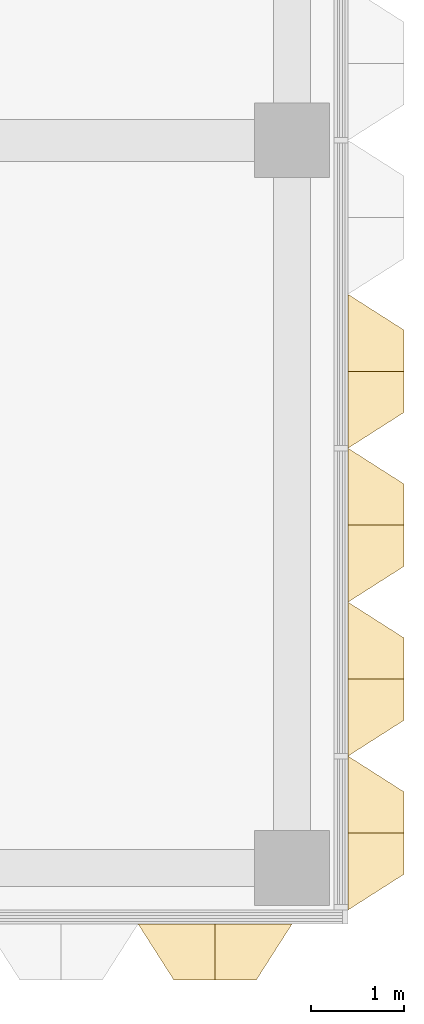
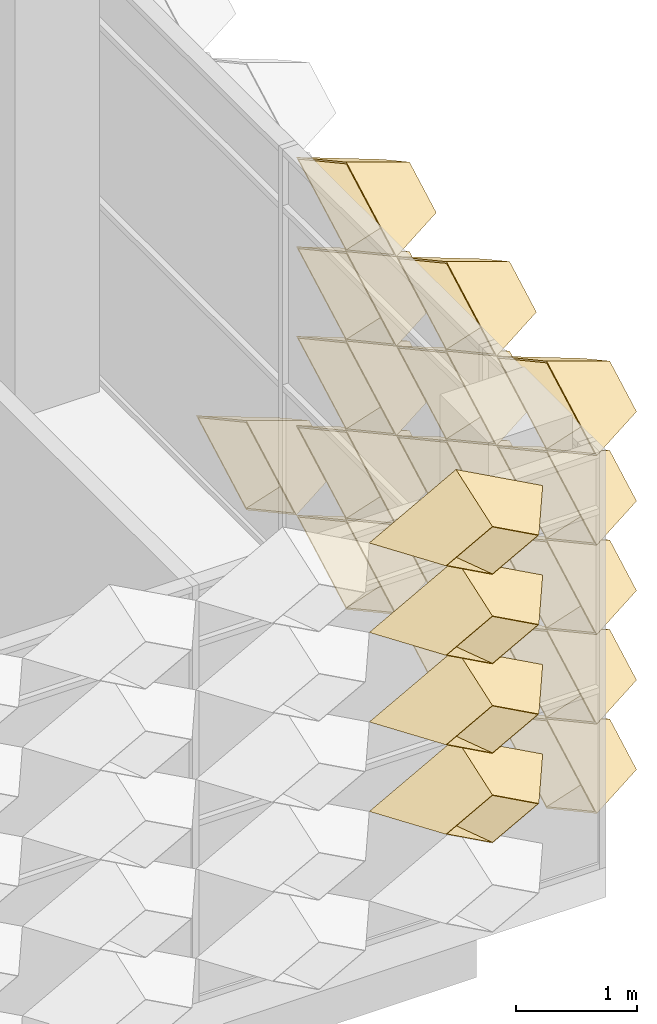
# One storey, part 51 of 61: 20 coverings.
"""IFC4 building model written with IfcOpenShell, lengths in metres."""

from ifc_helpers import new_model, entity, si_unit, direction, frame, origin, place, context, subcontext, project, spatial, material, layer, layer_set, type_object, element, save


model = new_model("IFC4")

# Units and contexts
model_context = context("Model", 3, precision=1e-05, world=origin(), true_north=direction((0.0, 1.0)))
body_context = subcontext(model_context, "Body", "Model", "MODEL_VIEW")
ifc_project = project(units=[si_unit("LENGTHUNIT", "METRE"), si_unit("AREAUNIT", "SQUARE_METRE"), si_unit("VOLUMEUNIT", "CUBIC_METRE"), si_unit("PLANEANGLEUNIT", "RADIAN"), si_unit("MASSUNIT", "GRAM", prefix="KILO")], contexts=[model_context])

# Site, building, storey
site_placement = place(None, origin())
site = spatial("IfcSite", under=ifc_project, at=site_placement, CompositionType="ELEMENT")
building_placement = place(site_placement, origin())
building = spatial("IfcBuilding", under=site, at=building_placement, Name="Lantern Court Research Institute", CompositionType="ELEMENT")
storey_placement = place(building_placement, frame((0.0, 0.0, 23.39990234375)))
storey = spatial("IfcBuildingStorey", under=building, at=storey_placement, Name="L05", CompositionType="ELEMENT", Elevation=23.39990234375)

# Coverings
ifc_material = material(Name="Anodised aluminium", Category="aluminium")
ifc_layer = layer(ifc_material, 0.01611328125)
ifc_layer_set = layer_set([ifc_layer], Name="Anodised aluminium")
covering_type = type_object("IfcCoveringType", Name="Fin cassette 1650 x 900 x 600 aluminium", PredefinedType="CLADDING", material=ifc_layer_set)
covering_1_placement = place(storey_placement, frame((79.800048828125, -7.425048828125, 0.4501953125), z_axis=(1.0, 0.0, 0.0), x_axis=(0.0, 1.0, 0.0)))
cartesian_point_1 = entity("IfcCartesianPoint", [0.824951171875, 0.0])
cartesian_point_2 = entity("IfcCartesianPoint", [0.79150390625, 0.0])
cartesian_point_3 = entity("IfcCartesianPoint", [0.44189453125, 0.0])
cartesian_point_4 = entity("IfcCartesianPoint", [0.43359375, 0.0])
element("IfcCovering", 1, at=covering_1_placement, inside=storey, type_object=covering_type, Name="Fin cassette V5E-L05 1.-4", PredefinedType="CLADDING", context=body_context, shape_type="SweptSolid", body=[
    entity("IfcExtrudedAreaSolidTapered", entity("IfcArbitraryProfileDefWithVoids", "AREA", None, entity("IfcPolyline", [cartesian_point_1, entity("IfcCartesianPoint", [0.0, 0.449951171875]), entity("IfcCartesianPoint", [-0.824951171875, 0.0]), entity("IfcCartesianPoint", [0.0, -0.449951171875]), cartesian_point_1]), [entity("IfcPolyline", [cartesian_point_2, entity("IfcCartesianPoint", [0.0, 0.431884765625]), entity("IfcCartesianPoint", [-0.79150390625, 0.0]), entity("IfcCartesianPoint", [0.0, -0.431884765625]), cartesian_point_2])]), entity("IfcAxis2Placement3D", entity("IfcCartesianPoint", [0.0, 0.0, 0.0])), entity("IfcDirection", [0.0, 0.0, 1.0]), 0.60009765625, entity("IfcArbitraryProfileDefWithVoids", "AREA", None, entity("IfcPolyline", [cartesian_point_3, entity("IfcCartesianPoint", [0.0, 0.240966796875]), entity("IfcCartesianPoint", [-0.44189453125, 0.0]), entity("IfcCartesianPoint", [0.0, -0.240966796875]), cartesian_point_3]), [entity("IfcPolyline", [cartesian_point_4, entity("IfcCartesianPoint", [0.0, 0.236572265625]), entity("IfcCartesianPoint", [-0.43359375, 0.0]), entity("IfcCartesianPoint", [0.0, -0.236572265625]), cartesian_point_4])])),
])
covering_2_placement = place(storey_placement, frame((79.800048828125, -5.77490234375, 0.4501953125), z_axis=(1.0, 0.0, 0.0), x_axis=(0.0, 1.0, 0.0)))
cartesian_point_5 = entity("IfcCartesianPoint", [0.824951171875, 0.0])
cartesian_point_6 = entity("IfcCartesianPoint", [0.79150390625, 0.0])
cartesian_point_7 = entity("IfcCartesianPoint", [0.44189453125, 0.0])
cartesian_point_8 = entity("IfcCartesianPoint", [0.43359375, 0.0])
element("IfcCovering", 2, at=covering_2_placement, inside=storey, type_object=covering_type, Name="Fin cassette V5E-L05 1.-3", PredefinedType="CLADDING", context=body_context, shape_type="SweptSolid", body=[
    entity("IfcExtrudedAreaSolidTapered", entity("IfcArbitraryProfileDefWithVoids", "AREA", None, entity("IfcPolyline", [cartesian_point_5, entity("IfcCartesianPoint", [0.0, 0.449951171875]), entity("IfcCartesianPoint", [-0.824951171875, 0.0]), entity("IfcCartesianPoint", [0.0, -0.449951171875]), cartesian_point_5]), [entity("IfcPolyline", [cartesian_point_6, entity("IfcCartesianPoint", [0.0, 0.431884765625]), entity("IfcCartesianPoint", [-0.79150390625, 0.0]), entity("IfcCartesianPoint", [0.0, -0.431884765625]), cartesian_point_6])]), entity("IfcAxis2Placement3D", entity("IfcCartesianPoint", [0.0, 0.0, 0.0])), entity("IfcDirection", [0.0, 0.0, 1.0]), 0.60009765625, entity("IfcArbitraryProfileDefWithVoids", "AREA", None, entity("IfcPolyline", [cartesian_point_7, entity("IfcCartesianPoint", [0.0, 0.240966796875]), entity("IfcCartesianPoint", [-0.44189453125, 0.0]), entity("IfcCartesianPoint", [0.0, -0.240966796875]), cartesian_point_7]), [entity("IfcPolyline", [cartesian_point_8, entity("IfcCartesianPoint", [0.0, 0.236572265625]), entity("IfcCartesianPoint", [-0.43359375, 0.0]), entity("IfcCartesianPoint", [0.0, -0.236572265625]), cartesian_point_8])])),
])
covering_3_placement = place(storey_placement, frame((79.800048828125, -4.125, 0.4501953125), z_axis=(1.0, 0.0, 0.0), x_axis=(0.0, 1.0, 0.0)))
cartesian_point_9 = entity("IfcCartesianPoint", [0.824951171875, 0.0])
cartesian_point_10 = entity("IfcCartesianPoint", [0.79150390625, 0.0])
cartesian_point_11 = entity("IfcCartesianPoint", [0.44189453125, 0.0])
cartesian_point_12 = entity("IfcCartesianPoint", [0.43359375, 0.0])
element("IfcCovering", 3, at=covering_3_placement, inside=storey, type_object=covering_type, Name="Fin cassette V5E-L05 1.-2", PredefinedType="CLADDING", context=body_context, shape_type="SweptSolid", body=[
    entity("IfcExtrudedAreaSolidTapered", entity("IfcArbitraryProfileDefWithVoids", "AREA", None, entity("IfcPolyline", [cartesian_point_9, entity("IfcCartesianPoint", [0.0, 0.449951171875]), entity("IfcCartesianPoint", [-0.824951171875, 0.0]), entity("IfcCartesianPoint", [0.0, -0.449951171875]), cartesian_point_9]), [entity("IfcPolyline", [cartesian_point_10, entity("IfcCartesianPoint", [0.0, 0.431884765625]), entity("IfcCartesianPoint", [-0.79150390625, 0.0]), entity("IfcCartesianPoint", [0.0, -0.431884765625]), cartesian_point_10])]), entity("IfcAxis2Placement3D", entity("IfcCartesianPoint", [0.0, 0.0, 0.0])), entity("IfcDirection", [0.0, 0.0, 1.0]), 0.60009765625, entity("IfcArbitraryProfileDefWithVoids", "AREA", None, entity("IfcPolyline", [cartesian_point_11, entity("IfcCartesianPoint", [0.0, 0.240966796875]), entity("IfcCartesianPoint", [-0.44189453125, 0.0]), entity("IfcCartesianPoint", [0.0, -0.240966796875]), cartesian_point_11]), [entity("IfcPolyline", [cartesian_point_12, entity("IfcCartesianPoint", [0.0, 0.236572265625]), entity("IfcCartesianPoint", [-0.43359375, 0.0]), entity("IfcCartesianPoint", [0.0, -0.236572265625]), cartesian_point_12])])),
])
covering_4_placement = place(storey_placement, frame((79.800048828125, -2.47509765625, 0.4501953125), z_axis=(1.0, 0.0, 0.0), x_axis=(0.0, 1.0, 0.0)))
cartesian_point_13 = entity("IfcCartesianPoint", [0.824951171875, 0.0])
cartesian_point_14 = entity("IfcCartesianPoint", [0.79150390625, 0.0])
cartesian_point_15 = entity("IfcCartesianPoint", [0.44189453125, 0.0])
cartesian_point_16 = entity("IfcCartesianPoint", [0.43359375, 0.0])
element("IfcCovering", 4, at=covering_4_placement, inside=storey, type_object=covering_type, Name="Fin cassette V5E-L05 1.-1", PredefinedType="CLADDING", context=body_context, shape_type="SweptSolid", body=[
    entity("IfcExtrudedAreaSolidTapered", entity("IfcArbitraryProfileDefWithVoids", "AREA", None, entity("IfcPolyline", [cartesian_point_13, entity("IfcCartesianPoint", [0.0, 0.449951171875]), entity("IfcCartesianPoint", [-0.824951171875, 0.0]), entity("IfcCartesianPoint", [0.0, -0.449951171875]), cartesian_point_13]), [entity("IfcPolyline", [cartesian_point_14, entity("IfcCartesianPoint", [0.0, 0.431884765625]), entity("IfcCartesianPoint", [-0.79150390625, 0.0]), entity("IfcCartesianPoint", [0.0, -0.431884765625]), cartesian_point_14])]), entity("IfcAxis2Placement3D", entity("IfcCartesianPoint", [0.0, 0.0, 0.0])), entity("IfcDirection", [0.0, 0.0, 1.0]), 0.60009765625, entity("IfcArbitraryProfileDefWithVoids", "AREA", None, entity("IfcPolyline", [cartesian_point_15, entity("IfcCartesianPoint", [0.0, 0.240966796875]), entity("IfcCartesianPoint", [-0.44189453125, 0.0]), entity("IfcCartesianPoint", [0.0, -0.240966796875]), cartesian_point_15]), [entity("IfcPolyline", [cartesian_point_16, entity("IfcCartesianPoint", [0.0, 0.236572265625]), entity("IfcCartesianPoint", [-0.43359375, 0.0]), entity("IfcCartesianPoint", [0.0, -0.236572265625]), cartesian_point_16])])),
])
covering_5_placement = place(storey_placement, frame((79.800048828125, -7.425048828125, 1.35009765625), z_axis=(1.0, 0.0, 0.0), x_axis=(0.0, 1.0, 0.0)))
cartesian_point_17 = entity("IfcCartesianPoint", [0.824951171875, 0.0])
cartesian_point_18 = entity("IfcCartesianPoint", [0.79150390625, 0.0])
cartesian_point_19 = entity("IfcCartesianPoint", [0.44189453125, 0.0])
cartesian_point_20 = entity("IfcCartesianPoint", [0.43359375, 0.0])
element("IfcCovering", 5, at=covering_5_placement, inside=storey, type_object=covering_type, Name="Fin cassette V5E-L05 2.-4", PredefinedType="CLADDING", context=body_context, shape_type="SweptSolid", body=[
    entity("IfcExtrudedAreaSolidTapered", entity("IfcArbitraryProfileDefWithVoids", "AREA", None, entity("IfcPolyline", [cartesian_point_17, entity("IfcCartesianPoint", [0.0, 0.449951171875]), entity("IfcCartesianPoint", [-0.824951171875, 0.0]), entity("IfcCartesianPoint", [0.0, -0.449951171875]), cartesian_point_17]), [entity("IfcPolyline", [cartesian_point_18, entity("IfcCartesianPoint", [0.0, 0.431884765625]), entity("IfcCartesianPoint", [-0.79150390625, 0.0]), entity("IfcCartesianPoint", [0.0, -0.431884765625]), cartesian_point_18])]), entity("IfcAxis2Placement3D", entity("IfcCartesianPoint", [0.0, 0.0, 0.0])), entity("IfcDirection", [0.0, 0.0, 1.0]), 0.60009765625, entity("IfcArbitraryProfileDefWithVoids", "AREA", None, entity("IfcPolyline", [cartesian_point_19, entity("IfcCartesianPoint", [0.0, 0.240966796875]), entity("IfcCartesianPoint", [-0.44189453125, 0.0]), entity("IfcCartesianPoint", [0.0, -0.240966796875]), cartesian_point_19]), [entity("IfcPolyline", [cartesian_point_20, entity("IfcCartesianPoint", [0.0, 0.236572265625]), entity("IfcCartesianPoint", [-0.43359375, 0.0]), entity("IfcCartesianPoint", [0.0, -0.236572265625]), cartesian_point_20])])),
])
covering_6_placement = place(storey_placement, frame((79.800048828125, -5.77490234375, 1.35009765625), z_axis=(1.0, 0.0, 0.0), x_axis=(0.0, 1.0, 0.0)))
cartesian_point_21 = entity("IfcCartesianPoint", [0.824951171875, 0.0])
cartesian_point_22 = entity("IfcCartesianPoint", [0.79150390625, 0.0])
cartesian_point_23 = entity("IfcCartesianPoint", [0.44189453125, 0.0])
cartesian_point_24 = entity("IfcCartesianPoint", [0.43359375, 0.0])
element("IfcCovering", 6, at=covering_6_placement, inside=storey, type_object=covering_type, Name="Fin cassette V5E-L05 2.-3", PredefinedType="CLADDING", context=body_context, shape_type="SweptSolid", body=[
    entity("IfcExtrudedAreaSolidTapered", entity("IfcArbitraryProfileDefWithVoids", "AREA", None, entity("IfcPolyline", [cartesian_point_21, entity("IfcCartesianPoint", [0.0, 0.449951171875]), entity("IfcCartesianPoint", [-0.824951171875, 0.0]), entity("IfcCartesianPoint", [0.0, -0.449951171875]), cartesian_point_21]), [entity("IfcPolyline", [cartesian_point_22, entity("IfcCartesianPoint", [0.0, 0.431884765625]), entity("IfcCartesianPoint", [-0.79150390625, 0.0]), entity("IfcCartesianPoint", [0.0, -0.431884765625]), cartesian_point_22])]), entity("IfcAxis2Placement3D", entity("IfcCartesianPoint", [0.0, 0.0, 0.0])), entity("IfcDirection", [0.0, 0.0, 1.0]), 0.60009765625, entity("IfcArbitraryProfileDefWithVoids", "AREA", None, entity("IfcPolyline", [cartesian_point_23, entity("IfcCartesianPoint", [0.0, 0.240966796875]), entity("IfcCartesianPoint", [-0.44189453125, 0.0]), entity("IfcCartesianPoint", [0.0, -0.240966796875]), cartesian_point_23]), [entity("IfcPolyline", [cartesian_point_24, entity("IfcCartesianPoint", [0.0, 0.236572265625]), entity("IfcCartesianPoint", [-0.43359375, 0.0]), entity("IfcCartesianPoint", [0.0, -0.236572265625]), cartesian_point_24])])),
])
covering_7_placement = place(storey_placement, frame((79.800048828125, -4.125, 1.35009765625), z_axis=(1.0, 0.0, 0.0), x_axis=(0.0, 1.0, 0.0)))
cartesian_point_25 = entity("IfcCartesianPoint", [0.824951171875, 0.0])
cartesian_point_26 = entity("IfcCartesianPoint", [0.79150390625, 0.0])
cartesian_point_27 = entity("IfcCartesianPoint", [0.44189453125, 0.0])
cartesian_point_28 = entity("IfcCartesianPoint", [0.43359375, 0.0])
element("IfcCovering", 7, at=covering_7_placement, inside=storey, type_object=covering_type, Name="Fin cassette V5E-L05 2.-2", PredefinedType="CLADDING", context=body_context, shape_type="SweptSolid", body=[
    entity("IfcExtrudedAreaSolidTapered", entity("IfcArbitraryProfileDefWithVoids", "AREA", None, entity("IfcPolyline", [cartesian_point_25, entity("IfcCartesianPoint", [0.0, 0.449951171875]), entity("IfcCartesianPoint", [-0.824951171875, 0.0]), entity("IfcCartesianPoint", [0.0, -0.449951171875]), cartesian_point_25]), [entity("IfcPolyline", [cartesian_point_26, entity("IfcCartesianPoint", [0.0, 0.431884765625]), entity("IfcCartesianPoint", [-0.79150390625, 0.0]), entity("IfcCartesianPoint", [0.0, -0.431884765625]), cartesian_point_26])]), entity("IfcAxis2Placement3D", entity("IfcCartesianPoint", [0.0, 0.0, 0.0])), entity("IfcDirection", [0.0, 0.0, 1.0]), 0.60009765625, entity("IfcArbitraryProfileDefWithVoids", "AREA", None, entity("IfcPolyline", [cartesian_point_27, entity("IfcCartesianPoint", [0.0, 0.240966796875]), entity("IfcCartesianPoint", [-0.44189453125, 0.0]), entity("IfcCartesianPoint", [0.0, -0.240966796875]), cartesian_point_27]), [entity("IfcPolyline", [cartesian_point_28, entity("IfcCartesianPoint", [0.0, 0.236572265625]), entity("IfcCartesianPoint", [-0.43359375, 0.0]), entity("IfcCartesianPoint", [0.0, -0.236572265625]), cartesian_point_28])])),
])
covering_8_placement = place(storey_placement, frame((79.800048828125, -7.425048828125, 2.25), z_axis=(1.0, 0.0, 0.0), x_axis=(0.0, 1.0, 0.0)))
cartesian_point_29 = entity("IfcCartesianPoint", [0.824951171875, 0.0])
cartesian_point_30 = entity("IfcCartesianPoint", [0.79150390625, 0.0])
cartesian_point_31 = entity("IfcCartesianPoint", [0.44189453125, 0.0])
cartesian_point_32 = entity("IfcCartesianPoint", [0.43359375, 0.0])
element("IfcCovering", 8, at=covering_8_placement, inside=storey, type_object=covering_type, Name="Fin cassette V5E-L05 3.-4", PredefinedType="CLADDING", context=body_context, shape_type="SweptSolid", body=[
    entity("IfcExtrudedAreaSolidTapered", entity("IfcArbitraryProfileDefWithVoids", "AREA", None, entity("IfcPolyline", [cartesian_point_29, entity("IfcCartesianPoint", [0.0, 0.449951171875]), entity("IfcCartesianPoint", [-0.824951171875, 0.0]), entity("IfcCartesianPoint", [0.0, -0.449951171875]), cartesian_point_29]), [entity("IfcPolyline", [cartesian_point_30, entity("IfcCartesianPoint", [0.0, 0.431884765625]), entity("IfcCartesianPoint", [-0.79150390625, 0.0]), entity("IfcCartesianPoint", [0.0, -0.431884765625]), cartesian_point_30])]), entity("IfcAxis2Placement3D", entity("IfcCartesianPoint", [0.0, 0.0, 0.0])), entity("IfcDirection", [0.0, 0.0, 1.0]), 0.60009765625, entity("IfcArbitraryProfileDefWithVoids", "AREA", None, entity("IfcPolyline", [cartesian_point_31, entity("IfcCartesianPoint", [0.0, 0.240966796875]), entity("IfcCartesianPoint", [-0.44189453125, 0.0]), entity("IfcCartesianPoint", [0.0, -0.240966796875]), cartesian_point_31]), [entity("IfcPolyline", [cartesian_point_32, entity("IfcCartesianPoint", [0.0, 0.236572265625]), entity("IfcCartesianPoint", [-0.43359375, 0.0]), entity("IfcCartesianPoint", [0.0, -0.236572265625]), cartesian_point_32])])),
])
covering_9_placement = place(storey_placement, frame((79.800048828125, -5.77490234375, 2.25), z_axis=(1.0, 0.0, 0.0), x_axis=(0.0, 1.0, 0.0)))
cartesian_point_33 = entity("IfcCartesianPoint", [0.824951171875, 0.0])
cartesian_point_34 = entity("IfcCartesianPoint", [0.79150390625, 0.0])
cartesian_point_35 = entity("IfcCartesianPoint", [0.44189453125, 0.0])
cartesian_point_36 = entity("IfcCartesianPoint", [0.43359375, 0.0])
element("IfcCovering", 9, at=covering_9_placement, inside=storey, type_object=covering_type, Name="Fin cassette V5E-L05 3.-3", PredefinedType="CLADDING", context=body_context, shape_type="SweptSolid", body=[
    entity("IfcExtrudedAreaSolidTapered", entity("IfcArbitraryProfileDefWithVoids", "AREA", None, entity("IfcPolyline", [cartesian_point_33, entity("IfcCartesianPoint", [0.0, 0.449951171875]), entity("IfcCartesianPoint", [-0.824951171875, 0.0]), entity("IfcCartesianPoint", [0.0, -0.449951171875]), cartesian_point_33]), [entity("IfcPolyline", [cartesian_point_34, entity("IfcCartesianPoint", [0.0, 0.431884765625]), entity("IfcCartesianPoint", [-0.79150390625, 0.0]), entity("IfcCartesianPoint", [0.0, -0.431884765625]), cartesian_point_34])]), entity("IfcAxis2Placement3D", entity("IfcCartesianPoint", [0.0, 0.0, 0.0])), entity("IfcDirection", [0.0, 0.0, 1.0]), 0.60009765625, entity("IfcArbitraryProfileDefWithVoids", "AREA", None, entity("IfcPolyline", [cartesian_point_35, entity("IfcCartesianPoint", [0.0, 0.240966796875]), entity("IfcCartesianPoint", [-0.44189453125, 0.0]), entity("IfcCartesianPoint", [0.0, -0.240966796875]), cartesian_point_35]), [entity("IfcPolyline", [cartesian_point_36, entity("IfcCartesianPoint", [0.0, 0.236572265625]), entity("IfcCartesianPoint", [-0.43359375, 0.0]), entity("IfcCartesianPoint", [0.0, -0.236572265625]), cartesian_point_36])])),
])
covering_10_placement = place(storey_placement, frame((79.800048828125, -4.125, 2.25), z_axis=(1.0, 0.0, 0.0), x_axis=(0.0, 1.0, 0.0)))
cartesian_point_37 = entity("IfcCartesianPoint", [0.824951171875, 0.0])
cartesian_point_38 = entity("IfcCartesianPoint", [0.79150390625, 0.0])
cartesian_point_39 = entity("IfcCartesianPoint", [0.44189453125, 0.0])
cartesian_point_40 = entity("IfcCartesianPoint", [0.43359375, 0.0])
element("IfcCovering", 10, at=covering_10_placement, inside=storey, type_object=covering_type, Name="Fin cassette V5E-L05 3.-2", PredefinedType="CLADDING", context=body_context, shape_type="SweptSolid", body=[
    entity("IfcExtrudedAreaSolidTapered", entity("IfcArbitraryProfileDefWithVoids", "AREA", None, entity("IfcPolyline", [cartesian_point_37, entity("IfcCartesianPoint", [0.0, 0.449951171875]), entity("IfcCartesianPoint", [-0.824951171875, 0.0]), entity("IfcCartesianPoint", [0.0, -0.449951171875]), cartesian_point_37]), [entity("IfcPolyline", [cartesian_point_38, entity("IfcCartesianPoint", [0.0, 0.431884765625]), entity("IfcCartesianPoint", [-0.79150390625, 0.0]), entity("IfcCartesianPoint", [0.0, -0.431884765625]), cartesian_point_38])]), entity("IfcAxis2Placement3D", entity("IfcCartesianPoint", [0.0, 0.0, 0.0])), entity("IfcDirection", [0.0, 0.0, 1.0]), 0.60009765625, entity("IfcArbitraryProfileDefWithVoids", "AREA", None, entity("IfcPolyline", [cartesian_point_39, entity("IfcCartesianPoint", [0.0, 0.240966796875]), entity("IfcCartesianPoint", [-0.44189453125, 0.0]), entity("IfcCartesianPoint", [0.0, -0.240966796875]), cartesian_point_39]), [entity("IfcPolyline", [cartesian_point_40, entity("IfcCartesianPoint", [0.0, 0.236572265625]), entity("IfcCartesianPoint", [-0.43359375, 0.0]), entity("IfcCartesianPoint", [0.0, -0.236572265625]), cartesian_point_40])])),
])
covering_11_placement = place(storey_placement, frame((79.800048828125, -7.425048828125, 3.150146484375), z_axis=(1.0, 0.0, 0.0), x_axis=(0.0, 1.0, 0.0)))
cartesian_point_41 = entity("IfcCartesianPoint", [0.824951171875, 0.0])
cartesian_point_42 = entity("IfcCartesianPoint", [0.79150390625, 0.0])
cartesian_point_43 = entity("IfcCartesianPoint", [0.44189453125, 0.0])
cartesian_point_44 = entity("IfcCartesianPoint", [0.43359375, 0.0])
element("IfcCovering", 11, at=covering_11_placement, inside=storey, type_object=covering_type, Name="Fin cassette V5E-L05 4.-4", PredefinedType="CLADDING", context=body_context, shape_type="SweptSolid", body=[
    entity("IfcExtrudedAreaSolidTapered", entity("IfcArbitraryProfileDefWithVoids", "AREA", None, entity("IfcPolyline", [cartesian_point_41, entity("IfcCartesianPoint", [0.0, 0.449951171875]), entity("IfcCartesianPoint", [-0.824951171875, 0.0]), entity("IfcCartesianPoint", [0.0, -0.449951171875]), cartesian_point_41]), [entity("IfcPolyline", [cartesian_point_42, entity("IfcCartesianPoint", [0.0, 0.431884765625]), entity("IfcCartesianPoint", [-0.79150390625, 0.0]), entity("IfcCartesianPoint", [0.0, -0.431884765625]), cartesian_point_42])]), entity("IfcAxis2Placement3D", entity("IfcCartesianPoint", [0.0, 0.0, 0.0])), entity("IfcDirection", [0.0, 0.0, 1.0]), 0.60009765625, entity("IfcArbitraryProfileDefWithVoids", "AREA", None, entity("IfcPolyline", [cartesian_point_43, entity("IfcCartesianPoint", [0.0, 0.240966796875]), entity("IfcCartesianPoint", [-0.44189453125, 0.0]), entity("IfcCartesianPoint", [0.0, -0.240966796875]), cartesian_point_43]), [entity("IfcPolyline", [cartesian_point_44, entity("IfcCartesianPoint", [0.0, 0.236572265625]), entity("IfcCartesianPoint", [-0.43359375, 0.0]), entity("IfcCartesianPoint", [0.0, -0.236572265625]), cartesian_point_44])])),
])
covering_12_placement = place(storey_placement, frame((79.800048828125, -5.77490234375, 3.150146484375), z_axis=(1.0, 0.0, 0.0), x_axis=(0.0, 1.0, 0.0)))
cartesian_point_45 = entity("IfcCartesianPoint", [0.824951171875, 0.0])
cartesian_point_46 = entity("IfcCartesianPoint", [0.79150390625, 0.0])
cartesian_point_47 = entity("IfcCartesianPoint", [0.44189453125, 0.0])
cartesian_point_48 = entity("IfcCartesianPoint", [0.43359375, 0.0])
element("IfcCovering", 12, at=covering_12_placement, inside=storey, type_object=covering_type, Name="Fin cassette V5E-L05 4.-3", PredefinedType="CLADDING", context=body_context, shape_type="SweptSolid", body=[
    entity("IfcExtrudedAreaSolidTapered", entity("IfcArbitraryProfileDefWithVoids", "AREA", None, entity("IfcPolyline", [cartesian_point_45, entity("IfcCartesianPoint", [0.0, 0.449951171875]), entity("IfcCartesianPoint", [-0.824951171875, 0.0]), entity("IfcCartesianPoint", [0.0, -0.449951171875]), cartesian_point_45]), [entity("IfcPolyline", [cartesian_point_46, entity("IfcCartesianPoint", [0.0, 0.431884765625]), entity("IfcCartesianPoint", [-0.79150390625, 0.0]), entity("IfcCartesianPoint", [0.0, -0.431884765625]), cartesian_point_46])]), entity("IfcAxis2Placement3D", entity("IfcCartesianPoint", [0.0, 0.0, 0.0])), entity("IfcDirection", [0.0, 0.0, 1.0]), 0.60009765625, entity("IfcArbitraryProfileDefWithVoids", "AREA", None, entity("IfcPolyline", [cartesian_point_47, entity("IfcCartesianPoint", [0.0, 0.240966796875]), entity("IfcCartesianPoint", [-0.44189453125, 0.0]), entity("IfcCartesianPoint", [0.0, -0.240966796875]), cartesian_point_47]), [entity("IfcPolyline", [cartesian_point_48, entity("IfcCartesianPoint", [0.0, 0.236572265625]), entity("IfcCartesianPoint", [-0.43359375, 0.0]), entity("IfcCartesianPoint", [0.0, -0.236572265625]), cartesian_point_48])])),
])
covering_13_placement = place(storey_placement, frame((79.800048828125, -4.125, 3.150146484375), z_axis=(1.0, 0.0, 0.0), x_axis=(0.0, 1.0, 0.0)))
cartesian_point_49 = entity("IfcCartesianPoint", [0.824951171875, 0.0])
cartesian_point_50 = entity("IfcCartesianPoint", [0.79150390625, 0.0])
cartesian_point_51 = entity("IfcCartesianPoint", [0.44189453125, 0.0])
cartesian_point_52 = entity("IfcCartesianPoint", [0.43359375, 0.0])
element("IfcCovering", 13, at=covering_13_placement, inside=storey, type_object=covering_type, Name="Fin cassette V5E-L05 4.-2", PredefinedType="CLADDING", context=body_context, shape_type="SweptSolid", body=[
    entity("IfcExtrudedAreaSolidTapered", entity("IfcArbitraryProfileDefWithVoids", "AREA", None, entity("IfcPolyline", [cartesian_point_49, entity("IfcCartesianPoint", [0.0, 0.449951171875]), entity("IfcCartesianPoint", [-0.824951171875, 0.0]), entity("IfcCartesianPoint", [0.0, -0.449951171875]), cartesian_point_49]), [entity("IfcPolyline", [cartesian_point_50, entity("IfcCartesianPoint", [0.0, 0.431884765625]), entity("IfcCartesianPoint", [-0.79150390625, 0.0]), entity("IfcCartesianPoint", [0.0, -0.431884765625]), cartesian_point_50])]), entity("IfcAxis2Placement3D", entity("IfcCartesianPoint", [0.0, 0.0, 0.0])), entity("IfcDirection", [0.0, 0.0, 1.0]), 0.60009765625, entity("IfcArbitraryProfileDefWithVoids", "AREA", None, entity("IfcPolyline", [cartesian_point_51, entity("IfcCartesianPoint", [0.0, 0.240966796875]), entity("IfcCartesianPoint", [-0.44189453125, 0.0]), entity("IfcCartesianPoint", [0.0, -0.240966796875]), cartesian_point_51]), [entity("IfcPolyline", [cartesian_point_52, entity("IfcCartesianPoint", [0.0, 0.236572265625]), entity("IfcCartesianPoint", [-0.43359375, 0.0]), entity("IfcCartesianPoint", [0.0, -0.236572265625]), cartesian_point_52])])),
])
covering_14_placement = place(storey_placement, frame((79.800048828125, -7.425048828125, 4.050048828125), z_axis=(1.0, 0.0, 0.0), x_axis=(0.0, 1.0, 0.0)))
cartesian_point_53 = entity("IfcCartesianPoint", [0.824951171875, 0.0])
cartesian_point_54 = entity("IfcCartesianPoint", [0.79150390625, 0.0])
cartesian_point_55 = entity("IfcCartesianPoint", [0.44189453125, 0.0])
cartesian_point_56 = entity("IfcCartesianPoint", [0.43359375, 0.0])
element("IfcCovering", 14, at=covering_14_placement, inside=storey, type_object=covering_type, Name="Fin cassette V5E-L05 5.-4", PredefinedType="CLADDING", context=body_context, shape_type="SweptSolid", body=[
    entity("IfcExtrudedAreaSolidTapered", entity("IfcArbitraryProfileDefWithVoids", "AREA", None, entity("IfcPolyline", [cartesian_point_53, entity("IfcCartesianPoint", [0.0, 0.449951171875]), entity("IfcCartesianPoint", [-0.824951171875, 0.0]), entity("IfcCartesianPoint", [0.0, -0.449951171875]), cartesian_point_53]), [entity("IfcPolyline", [cartesian_point_54, entity("IfcCartesianPoint", [0.0, 0.431884765625]), entity("IfcCartesianPoint", [-0.79150390625, 0.0]), entity("IfcCartesianPoint", [0.0, -0.431884765625]), cartesian_point_54])]), entity("IfcAxis2Placement3D", entity("IfcCartesianPoint", [0.0, 0.0, 0.0])), entity("IfcDirection", [0.0, 0.0, 1.0]), 0.60009765625, entity("IfcArbitraryProfileDefWithVoids", "AREA", None, entity("IfcPolyline", [cartesian_point_55, entity("IfcCartesianPoint", [0.0, 0.240966796875]), entity("IfcCartesianPoint", [-0.44189453125, 0.0]), entity("IfcCartesianPoint", [0.0, -0.240966796875]), cartesian_point_55]), [entity("IfcPolyline", [cartesian_point_56, entity("IfcCartesianPoint", [0.0, 0.236572265625]), entity("IfcCartesianPoint", [-0.43359375, 0.0]), entity("IfcCartesianPoint", [0.0, -0.236572265625]), cartesian_point_56])])),
])
covering_15_placement = place(storey_placement, frame((79.800048828125, -5.77490234375, 4.050048828125), z_axis=(1.0, 0.0, 0.0), x_axis=(0.0, 1.0, 0.0)))
cartesian_point_57 = entity("IfcCartesianPoint", [0.824951171875, 0.0])
cartesian_point_58 = entity("IfcCartesianPoint", [0.79150390625, 0.0])
cartesian_point_59 = entity("IfcCartesianPoint", [0.44189453125, 0.0])
cartesian_point_60 = entity("IfcCartesianPoint", [0.43359375, 0.0])
element("IfcCovering", 15, at=covering_15_placement, inside=storey, type_object=covering_type, Name="Fin cassette V5E-L05 5.-3", PredefinedType="CLADDING", context=body_context, shape_type="SweptSolid", body=[
    entity("IfcExtrudedAreaSolidTapered", entity("IfcArbitraryProfileDefWithVoids", "AREA", None, entity("IfcPolyline", [cartesian_point_57, entity("IfcCartesianPoint", [0.0, 0.449951171875]), entity("IfcCartesianPoint", [-0.824951171875, 0.0]), entity("IfcCartesianPoint", [0.0, -0.449951171875]), cartesian_point_57]), [entity("IfcPolyline", [cartesian_point_58, entity("IfcCartesianPoint", [0.0, 0.431884765625]), entity("IfcCartesianPoint", [-0.79150390625, 0.0]), entity("IfcCartesianPoint", [0.0, -0.431884765625]), cartesian_point_58])]), entity("IfcAxis2Placement3D", entity("IfcCartesianPoint", [0.0, 0.0, 0.0])), entity("IfcDirection", [0.0, 0.0, 1.0]), 0.60009765625, entity("IfcArbitraryProfileDefWithVoids", "AREA", None, entity("IfcPolyline", [cartesian_point_59, entity("IfcCartesianPoint", [0.0, 0.240966796875]), entity("IfcCartesianPoint", [-0.44189453125, 0.0]), entity("IfcCartesianPoint", [0.0, -0.240966796875]), cartesian_point_59]), [entity("IfcPolyline", [cartesian_point_60, entity("IfcCartesianPoint", [0.0, 0.236572265625]), entity("IfcCartesianPoint", [-0.43359375, 0.0]), entity("IfcCartesianPoint", [0.0, -0.236572265625]), cartesian_point_60])])),
])
covering_16_placement = place(storey_placement, frame((79.800048828125, -4.125, 4.050048828125), z_axis=(1.0, 0.0, 0.0), x_axis=(0.0, 1.0, 0.0)))
cartesian_point_61 = entity("IfcCartesianPoint", [0.824951171875, 0.0])
cartesian_point_62 = entity("IfcCartesianPoint", [0.79150390625, 0.0])
cartesian_point_63 = entity("IfcCartesianPoint", [0.44189453125, 0.0])
cartesian_point_64 = entity("IfcCartesianPoint", [0.43359375, 0.0])
element("IfcCovering", 16, at=covering_16_placement, inside=storey, type_object=covering_type, Name="Fin cassette V5E-L05 5.-2", PredefinedType="CLADDING", context=body_context, shape_type="SweptSolid", body=[
    entity("IfcExtrudedAreaSolidTapered", entity("IfcArbitraryProfileDefWithVoids", "AREA", None, entity("IfcPolyline", [cartesian_point_61, entity("IfcCartesianPoint", [0.0, 0.449951171875]), entity("IfcCartesianPoint", [-0.824951171875, 0.0]), entity("IfcCartesianPoint", [0.0, -0.449951171875]), cartesian_point_61]), [entity("IfcPolyline", [cartesian_point_62, entity("IfcCartesianPoint", [0.0, 0.431884765625]), entity("IfcCartesianPoint", [-0.79150390625, 0.0]), entity("IfcCartesianPoint", [0.0, -0.431884765625]), cartesian_point_62])]), entity("IfcAxis2Placement3D", entity("IfcCartesianPoint", [0.0, 0.0, 0.0])), entity("IfcDirection", [0.0, 0.0, 1.0]), 0.60009765625, entity("IfcArbitraryProfileDefWithVoids", "AREA", None, entity("IfcPolyline", [cartesian_point_63, entity("IfcCartesianPoint", [0.0, 0.240966796875]), entity("IfcCartesianPoint", [-0.44189453125, 0.0]), entity("IfcCartesianPoint", [0.0, -0.240966796875]), cartesian_point_63]), [entity("IfcPolyline", [cartesian_point_64, entity("IfcCartesianPoint", [0.0, 0.236572265625]), entity("IfcCartesianPoint", [-0.43359375, 0.0]), entity("IfcCartesianPoint", [0.0, -0.236572265625]), cartesian_point_64])])),
])
covering_17_placement = place(storey_placement, frame((78.375, -8.39990234375, 1.35009765625), z_axis=(0.0, -1.0, 0.0), x_axis=(1.0, 0.0, 0.0)))
cartesian_point_65 = entity("IfcCartesianPoint", [0.824951171875, 0.0])
cartesian_point_66 = entity("IfcCartesianPoint", [0.79150390625, 0.0])
cartesian_point_67 = entity("IfcCartesianPoint", [0.44189453125, 0.0])
cartesian_point_68 = entity("IfcCartesianPoint", [0.43359375, 0.0])
element("IfcCovering", 17, at=covering_17_placement, inside=storey, type_object=covering_type, Name="Fin cassette V5S-L05 2.48", PredefinedType="CLADDING", context=body_context, shape_type="SweptSolid", body=[
    entity("IfcExtrudedAreaSolidTapered", entity("IfcArbitraryProfileDefWithVoids", "AREA", None, entity("IfcPolyline", [cartesian_point_65, entity("IfcCartesianPoint", [0.0, 0.449951171875]), entity("IfcCartesianPoint", [-0.824951171875, 0.0]), entity("IfcCartesianPoint", [0.0, -0.449951171875]), cartesian_point_65]), [entity("IfcPolyline", [cartesian_point_66, entity("IfcCartesianPoint", [0.0, 0.431884765625]), entity("IfcCartesianPoint", [-0.79150390625, 0.0]), entity("IfcCartesianPoint", [0.0, -0.431884765625]), cartesian_point_66])]), entity("IfcAxis2Placement3D", entity("IfcCartesianPoint", [0.0, 0.0, 0.0])), entity("IfcDirection", [0.0, 0.0, 1.0]), 0.60009765625, entity("IfcArbitraryProfileDefWithVoids", "AREA", None, entity("IfcPolyline", [cartesian_point_67, entity("IfcCartesianPoint", [0.0, 0.240966796875]), entity("IfcCartesianPoint", [-0.44189453125, 0.0]), entity("IfcCartesianPoint", [0.0, -0.240966796875]), cartesian_point_67]), [entity("IfcPolyline", [cartesian_point_68, entity("IfcCartesianPoint", [0.0, 0.236572265625]), entity("IfcCartesianPoint", [-0.43359375, 0.0]), entity("IfcCartesianPoint", [0.0, -0.236572265625]), cartesian_point_68])])),
])
covering_18_placement = place(storey_placement, frame((78.375, -8.39990234375, 2.25), z_axis=(0.0, -1.0, 0.0), x_axis=(1.0, 0.0, 0.0)))
cartesian_point_69 = entity("IfcCartesianPoint", [0.824951171875, 0.0])
cartesian_point_70 = entity("IfcCartesianPoint", [0.79150390625, 0.0])
cartesian_point_71 = entity("IfcCartesianPoint", [0.44189453125, 0.0])
cartesian_point_72 = entity("IfcCartesianPoint", [0.43359375, 0.0])
element("IfcCovering", 18, at=covering_18_placement, inside=storey, type_object=covering_type, Name="Fin cassette V5S-L05 3.48", PredefinedType="CLADDING", context=body_context, shape_type="SweptSolid", body=[
    entity("IfcExtrudedAreaSolidTapered", entity("IfcArbitraryProfileDefWithVoids", "AREA", None, entity("IfcPolyline", [cartesian_point_69, entity("IfcCartesianPoint", [0.0, 0.449951171875]), entity("IfcCartesianPoint", [-0.824951171875, 0.0]), entity("IfcCartesianPoint", [0.0, -0.449951171875]), cartesian_point_69]), [entity("IfcPolyline", [cartesian_point_70, entity("IfcCartesianPoint", [0.0, 0.431884765625]), entity("IfcCartesianPoint", [-0.79150390625, 0.0]), entity("IfcCartesianPoint", [0.0, -0.431884765625]), cartesian_point_70])]), entity("IfcAxis2Placement3D", entity("IfcCartesianPoint", [0.0, 0.0, 0.0])), entity("IfcDirection", [0.0, 0.0, 1.0]), 0.60009765625, entity("IfcArbitraryProfileDefWithVoids", "AREA", None, entity("IfcPolyline", [cartesian_point_71, entity("IfcCartesianPoint", [0.0, 0.240966796875]), entity("IfcCartesianPoint", [-0.44189453125, 0.0]), entity("IfcCartesianPoint", [0.0, -0.240966796875]), cartesian_point_71]), [entity("IfcPolyline", [cartesian_point_72, entity("IfcCartesianPoint", [0.0, 0.236572265625]), entity("IfcCartesianPoint", [-0.43359375, 0.0]), entity("IfcCartesianPoint", [0.0, -0.236572265625]), cartesian_point_72])])),
])
covering_19_placement = place(storey_placement, frame((78.375, -8.39990234375, 3.150146484375), z_axis=(0.0, -1.0, 0.0), x_axis=(1.0, 0.0, 0.0)))
cartesian_point_73 = entity("IfcCartesianPoint", [0.824951171875, 0.0])
cartesian_point_74 = entity("IfcCartesianPoint", [0.79150390625, 0.0])
cartesian_point_75 = entity("IfcCartesianPoint", [0.44189453125, 0.0])
cartesian_point_76 = entity("IfcCartesianPoint", [0.43359375, 0.0])
element("IfcCovering", 19, at=covering_19_placement, inside=storey, type_object=covering_type, Name="Fin cassette V5S-L05 4.48", PredefinedType="CLADDING", context=body_context, shape_type="SweptSolid", body=[
    entity("IfcExtrudedAreaSolidTapered", entity("IfcArbitraryProfileDefWithVoids", "AREA", None, entity("IfcPolyline", [cartesian_point_73, entity("IfcCartesianPoint", [0.0, 0.449951171875]), entity("IfcCartesianPoint", [-0.824951171875, 0.0]), entity("IfcCartesianPoint", [0.0, -0.449951171875]), cartesian_point_73]), [entity("IfcPolyline", [cartesian_point_74, entity("IfcCartesianPoint", [0.0, 0.431884765625]), entity("IfcCartesianPoint", [-0.79150390625, 0.0]), entity("IfcCartesianPoint", [0.0, -0.431884765625]), cartesian_point_74])]), entity("IfcAxis2Placement3D", entity("IfcCartesianPoint", [0.0, 0.0, 0.0])), entity("IfcDirection", [0.0, 0.0, 1.0]), 0.60009765625, entity("IfcArbitraryProfileDefWithVoids", "AREA", None, entity("IfcPolyline", [cartesian_point_75, entity("IfcCartesianPoint", [0.0, 0.240966796875]), entity("IfcCartesianPoint", [-0.44189453125, 0.0]), entity("IfcCartesianPoint", [0.0, -0.240966796875]), cartesian_point_75]), [entity("IfcPolyline", [cartesian_point_76, entity("IfcCartesianPoint", [0.0, 0.236572265625]), entity("IfcCartesianPoint", [-0.43359375, 0.0]), entity("IfcCartesianPoint", [0.0, -0.236572265625]), cartesian_point_76])])),
])
covering_20_placement = place(storey_placement, frame((78.375, -8.39990234375, 4.050048828125), z_axis=(0.0, -1.0, 0.0), x_axis=(1.0, 0.0, 0.0)))
cartesian_point_77 = entity("IfcCartesianPoint", [0.824951171875, 0.0])
cartesian_point_78 = entity("IfcCartesianPoint", [0.79150390625, 0.0])
cartesian_point_79 = entity("IfcCartesianPoint", [0.44189453125, 0.0])
cartesian_point_80 = entity("IfcCartesianPoint", [0.43359375, 0.0])
element("IfcCovering", 20, at=covering_20_placement, inside=storey, type_object=covering_type, Name="Fin cassette V5S-L05 5.48", PredefinedType="CLADDING", context=body_context, shape_type="SweptSolid", body=[
    entity("IfcExtrudedAreaSolidTapered", entity("IfcArbitraryProfileDefWithVoids", "AREA", None, entity("IfcPolyline", [cartesian_point_77, entity("IfcCartesianPoint", [0.0, 0.449951171875]), entity("IfcCartesianPoint", [-0.824951171875, 0.0]), entity("IfcCartesianPoint", [0.0, -0.449951171875]), cartesian_point_77]), [entity("IfcPolyline", [cartesian_point_78, entity("IfcCartesianPoint", [0.0, 0.431884765625]), entity("IfcCartesianPoint", [-0.79150390625, 0.0]), entity("IfcCartesianPoint", [0.0, -0.431884765625]), cartesian_point_78])]), entity("IfcAxis2Placement3D", entity("IfcCartesianPoint", [0.0, 0.0, 0.0])), entity("IfcDirection", [0.0, 0.0, 1.0]), 0.60009765625, entity("IfcArbitraryProfileDefWithVoids", "AREA", None, entity("IfcPolyline", [cartesian_point_79, entity("IfcCartesianPoint", [0.0, 0.240966796875]), entity("IfcCartesianPoint", [-0.44189453125, 0.0]), entity("IfcCartesianPoint", [0.0, -0.240966796875]), cartesian_point_79]), [entity("IfcPolyline", [cartesian_point_80, entity("IfcCartesianPoint", [0.0, 0.236572265625]), entity("IfcCartesianPoint", [-0.43359375, 0.0]), entity("IfcCartesianPoint", [0.0, -0.236572265625]), cartesian_point_80])])),
])

save(model, "model.ifc")
